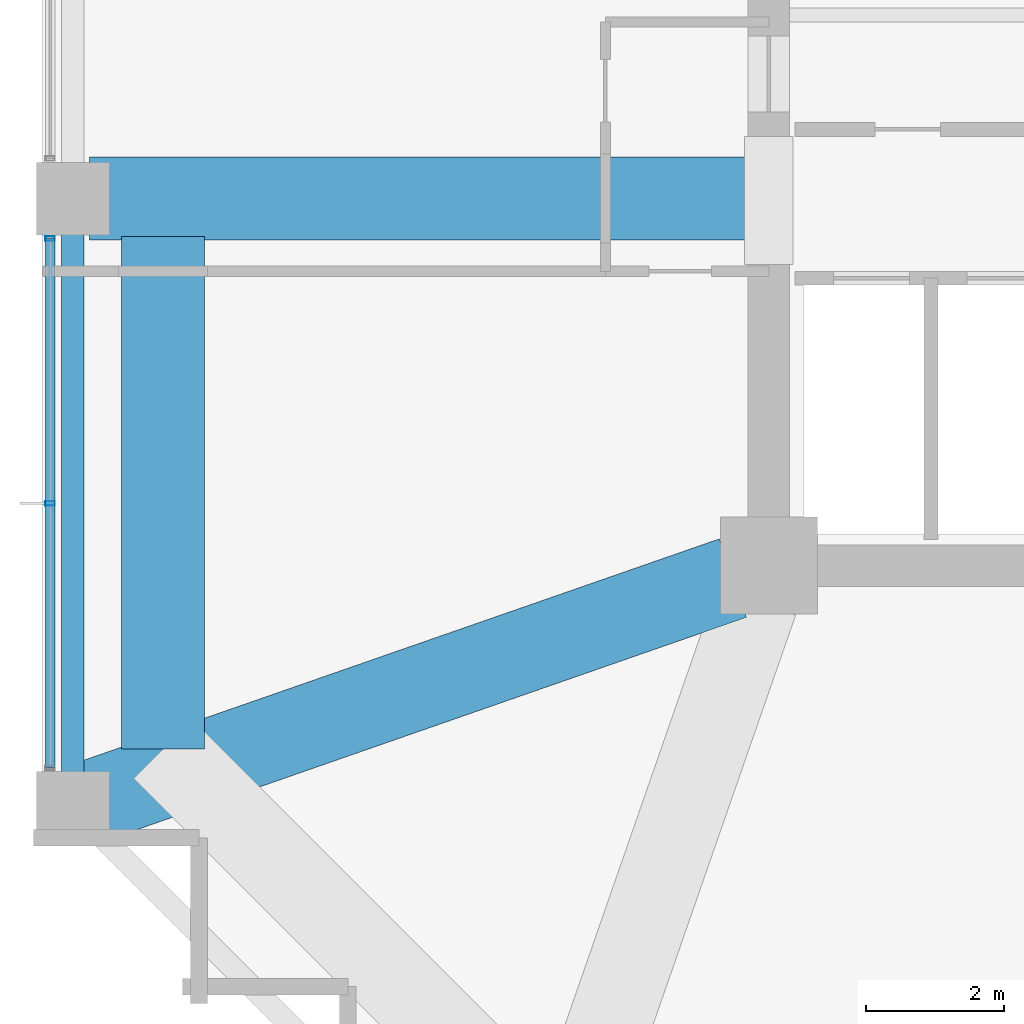
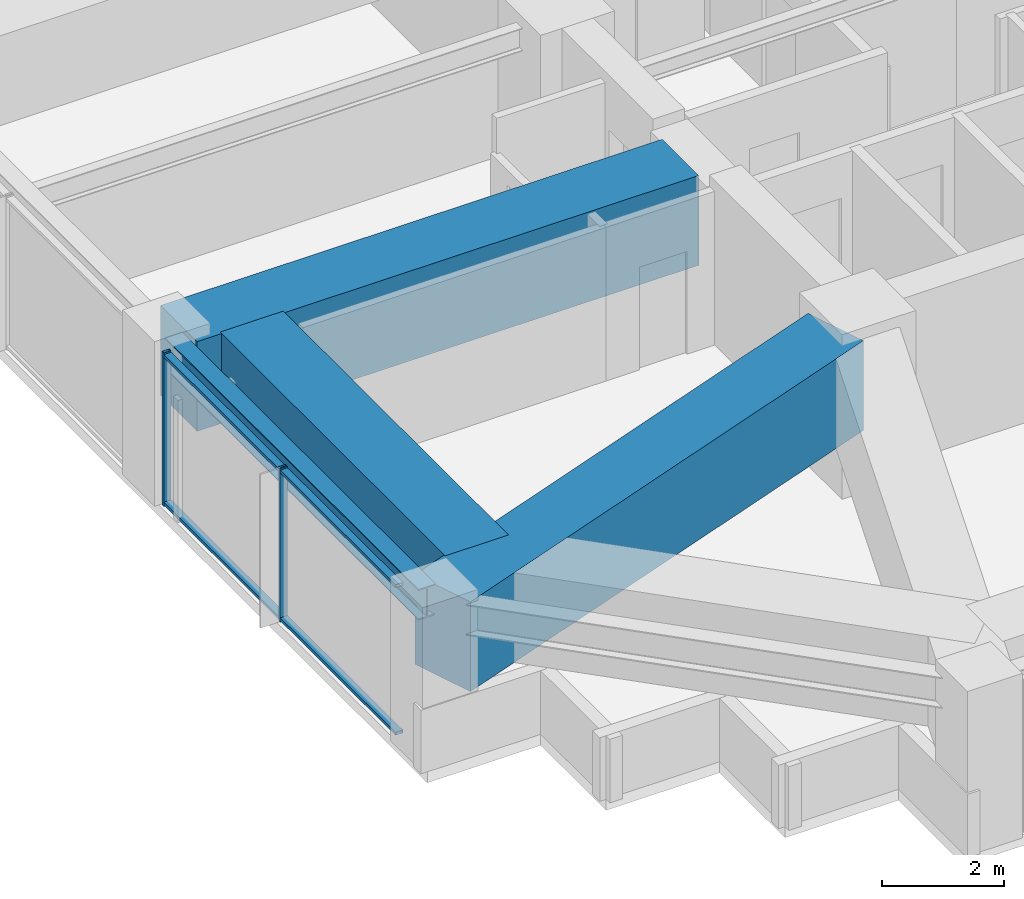
# One storey, part 4 of 34: 4 beams, 4 members, 1 element without a shape of its own.
"""IFC4 building model written with IfcOpenShell, lengths in metres."""

from ifc_helpers import new_model, si_unit, direction, frame, origin, origin_2d, place, context, subcontext, project, spatial, rectangle, hollow_rectangle, i_section, extrude, material, material_profile, profile_set, type_object, element, aggregate, save


model = new_model("IFC4")

# Units and contexts
model_context = context("Model", 3, precision=1e-05, world=origin(), true_north=direction((0.0, 1.0)))
body_context = subcontext(model_context, "Body", "Model", "MODEL_VIEW")
ifc_project = project(units=[si_unit("LENGTHUNIT", "METRE"), si_unit("AREAUNIT", "SQUARE_METRE"), si_unit("VOLUMEUNIT", "CUBIC_METRE"), si_unit("PLANEANGLEUNIT", "RADIAN"), si_unit("MASSUNIT", "GRAM", prefix="KILO")], contexts=[model_context])

# Site, building, storey
site_placement = place(None, origin())
site = spatial("IfcSite", under=ifc_project, at=site_placement, CompositionType="ELEMENT")
building_placement = place(site_placement, origin())
building = spatial("IfcBuilding", under=site, at=building_placement, Name="Kolvaren Belvedere", CompositionType="ELEMENT")
storey_placement = place(building_placement, frame((0.0, 0.0, 105.199951171875)))
storey = spatial("IfcBuildingStorey", under=building, at=storey_placement, Name="L30", CompositionType="ELEMENT", Elevation=105.199951171875)

# Beams
ifc_material_1 = material(Name="Structural steel ASTM A992 Grade 50", Category="steel")
ifc_material_profile_1 = material_profile(ifc_material_1, i_section(OverallWidth=0.324951171875, OverallDepth=0.615966796875, WebThickness=0.013916015625, FlangeThickness=0.021484375, FilletRadius=0.02001953125, at=origin_2d()), Name="W24X117")
ifc_profile_set_1 = profile_set([ifc_material_profile_1], Name="Structural steel ASTM A992 Grade 50")
beam_type_1 = type_object("IfcBeamType", Name="BM-SPAN-W24X117", PredefinedType="SPANDREL", material=ifc_profile_set_1)
beam_1_placement = place(storey_placement, frame((-19.949951171875, -4.836181640625, 2.77197265625), z_axis=(0.0, -1.0, 0.0), x_axis=(1.0, 0.0, 0.0)))
element("IfcBeam", 1, at=beam_1_placement, inside=storey, type_object=beam_type_1, Name="L30 Perimeter Spandrel W2-W1", PredefinedType="SPANDREL", context=body_context, shape_type="SweptSolid", body=[
    extrude(i_section(OverallWidth=0.324951171875, OverallDepth=0.615966796875, WebThickness=0.013916015625, FlangeThickness=0.021484375, FilletRadius=0.02001953125, at=origin_2d()), origin(), (0.0, 0.0, 1.0), 8.32763671875),
])
ifc_material_2 = material(Name="Concrete C50/60", Category="concrete")
ifc_material_profile_2 = material_profile(ifc_material_2, rectangle(XDim=1.199951171875, YDim=1.800048828125, at=origin_2d()), Name="RC 1200X1800")
ifc_profile_set_2 = profile_set([ifc_material_profile_2], Name="Concrete C50/60")
beam_type_2 = type_object("IfcBeamType", Name="BM-TG-1800", PredefinedType="BEAM", material=ifc_profile_set_2)
beam_2_placement = place(storey_placement, frame((-18.64990234375, -5.14990234375, 2.179931640625), z_axis=(0.0, -1.0, 0.0), x_axis=(1.0, 0.0, 0.0)))
element("IfcBeam", 2, at=beam_2_placement, inside=storey, type_object=beam_type_2, Name="L30 Step Transfer Ring Girder W2-W1", PredefinedType="BEAM", context=body_context, shape_type="SweptSolid", body=[
    extrude(rectangle(XDim=1.199951171875, YDim=1.800048828125, at=origin_2d()), origin(), (0.0, 0.0, 1.0), 7.400146484375),
])
beam_3_placement = place(storey_placement, frame((-10.199951171875, -4.60009765625, 2.179931640625), z_axis=(-1.0, 0.0, 0.0), x_axis=(0.0, -1.0, 0.0)))
element("IfcBeam", 3, at=beam_3_placement, inside=storey, type_object=beam_type_2, Name="L30 West Radial Girder M", PredefinedType="BEAM", context=body_context, shape_type="SweptSolid", body=[
    extrude(rectangle(XDim=1.199951171875, YDim=1.800048828125, at=origin_2d()), origin(), (0.0, 0.0, 1.0), 9.513916015625),
])
beam_4_placement = place(storey_placement, frame((-10.41943359375, -10.080810546875, 2.179931640625), z_axis=(-0.944371408538, -0.328880894453, 0.0), x_axis=(0.328880894453, -0.944371408538, 0.0)))
element("IfcBeam", 4, at=beam_4_placement, inside=storey, type_object=beam_type_2, Name="L30 Corner Core-to-Perimeter Girder CC1-W1", PredefinedType="BEAM", context=body_context, shape_type="SweptSolid", body=[
    extrude(rectangle(XDim=1.199951171875, YDim=1.800048828125, at=origin_2d()), origin(), (0.0, 0.0, 1.0), 9.882080078125),
])

# Curtain wall, members
ifc_material_3 = material(Name="Anodised pale-metal aluminium AA 6063-T6", Category="aluminium")
curtain_wall_type = type_object("IfcCurtainWallType", Name="CW-Z2-MID", PredefinedType="NOTDEFINED", material=ifc_material_3)
curtain_wall_placement = place(storey_placement, origin())
curtain_wall = element("IfcCurtainWall", 5, at=curtain_wall_placement, inside=storey, type_object=curtain_wall_type, Name="L30 Unitised Curtain Wall FCW-L30-W-B1", PredefinedType="NOTDEFINED")
ifc_material_4 = material(Name="Anodised pale-metal aluminium AA 6063-T6", Category="aluminium")
ifc_material_profile_3 = material_profile(ifc_material_4, hollow_rectangle(XDim=0.06494140625, YDim=0.139892578125, WallThickness=0.00390625, at=origin_2d()), Name="ALU-MUL-140X65")
ifc_profile_set_3 = profile_set([ifc_material_profile_3], Name="Anodised pale-metal aluminium AA 6063-T6")
member_type_1 = type_object("IfcMemberType", Name="CW-MUL-140", PredefinedType="MULLION", material=ifc_profile_set_3)
member_1_placement = place(storey_placement, frame((-20.280029296875, -9.0, 0.0), z_axis=(0.0, 0.0, 1.0), x_axis=(0.0, 1.0, 0.0)))
member_1 = element("IfcMember", 6, at=member_1_placement, type_object=member_type_1, Name="FCW-L30-W-B1 Unitised Mullion 2", PredefinedType="MULLION", context=body_context, shape_type="SweptSolid", body=[
    extrude(hollow_rectangle(XDim=0.06494140625, YDim=0.139892578125, WallThickness=0.00390625, at=origin_2d()), origin(), (0.0, 0.0, 1.0), 3.080078125),
])
member_2_placement = place(storey_placement, frame((-20.280029296875, -5.177490234375, 0.0), z_axis=(0.0, 0.0, 1.0), x_axis=(0.0, 1.0, 0.0)))
member_2 = element("IfcMember", 7, at=member_2_placement, type_object=member_type_1, Name="FCW-L30-W-B1 Unitised Mullion 3", PredefinedType="MULLION", context=body_context, shape_type="SweptSolid", body=[
    extrude(hollow_rectangle(XDim=0.06494140625, YDim=0.139892578125, WallThickness=0.00390625, at=origin_2d()), origin(), (0.0, 0.0, 1.0), 3.080078125),
])
ifc_material_5 = material(Name="Anodised pale-metal aluminium AA 6063-T6", Category="aluminium")
ifc_material_profile_4 = material_profile(ifc_material_5, hollow_rectangle(XDim=0.06005859375, YDim=0.139892578125, WallThickness=0.00390625, at=origin_2d()), Name="ALU-TRN-140X60")
ifc_profile_set_4 = profile_set([ifc_material_profile_4], Name="Anodised pale-metal aluminium AA 6063-T6")
member_type_2 = type_object("IfcMemberType", Name="CW-TRN-140", PredefinedType="USERDEFINED", material=ifc_profile_set_4)
member_3_placement = place(storey_placement, frame((-20.280029296875, -12.822509765625, 0.06005859375), z_axis=(0.0, 1.0, 0.0), x_axis=(0.0, 0.0, 1.0)))
member_3 = element("IfcMember", 8, at=member_3_placement, type_object=member_type_2, Name="FCW-L30-W-B1 Sill Transom", ObjectType="TRANSOM", PredefinedType="USERDEFINED", context=body_context, shape_type="SweptSolid", body=[
    extrude(hollow_rectangle(XDim=0.06005859375, YDim=0.139892578125, WallThickness=0.00390625, at=origin_2d()), origin(), (0.0, 0.0, 1.0), 7.64501953125),
])
member_4_placement = place(storey_placement, frame((-20.280029296875, -12.822509765625, 3.02001953125), z_axis=(0.0, 1.0, 0.0), x_axis=(0.0, 0.0, 1.0)))
member_4 = element("IfcMember", 9, at=member_4_placement, type_object=member_type_2, Name="FCW-L30-W-B1 Head Transom", ObjectType="TRANSOM", PredefinedType="USERDEFINED", context=body_context, shape_type="SweptSolid", body=[
    extrude(hollow_rectangle(XDim=0.06005859375, YDim=0.139892578125, WallThickness=0.00390625, at=origin_2d()), origin(), (0.0, 0.0, 1.0), 7.64501953125),
])
aggregate(curtain_wall, [member_1, member_2, member_3, member_4])

save(model, "model.ifc")
